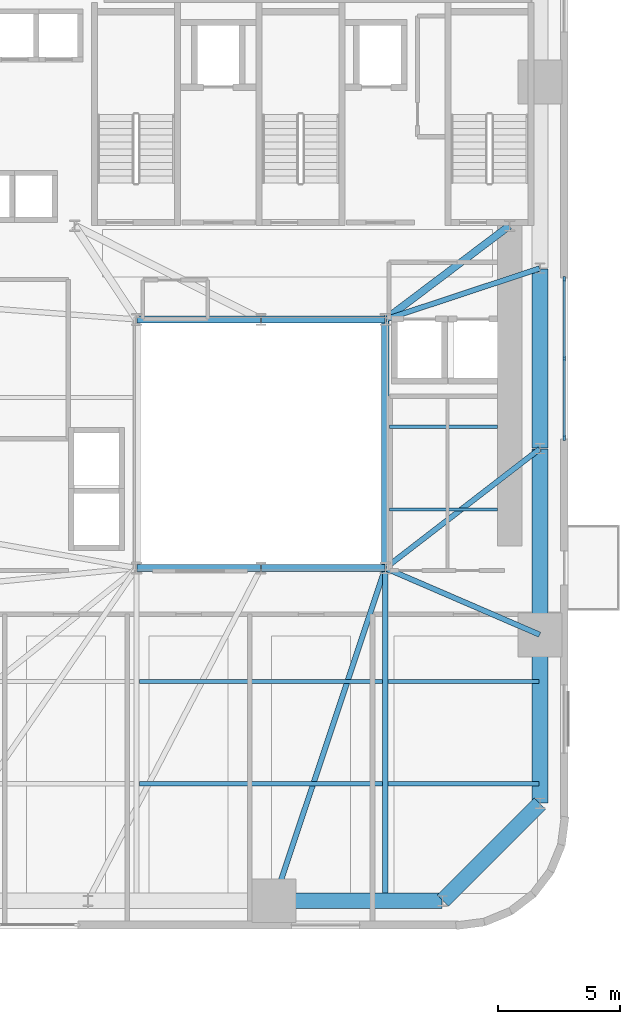
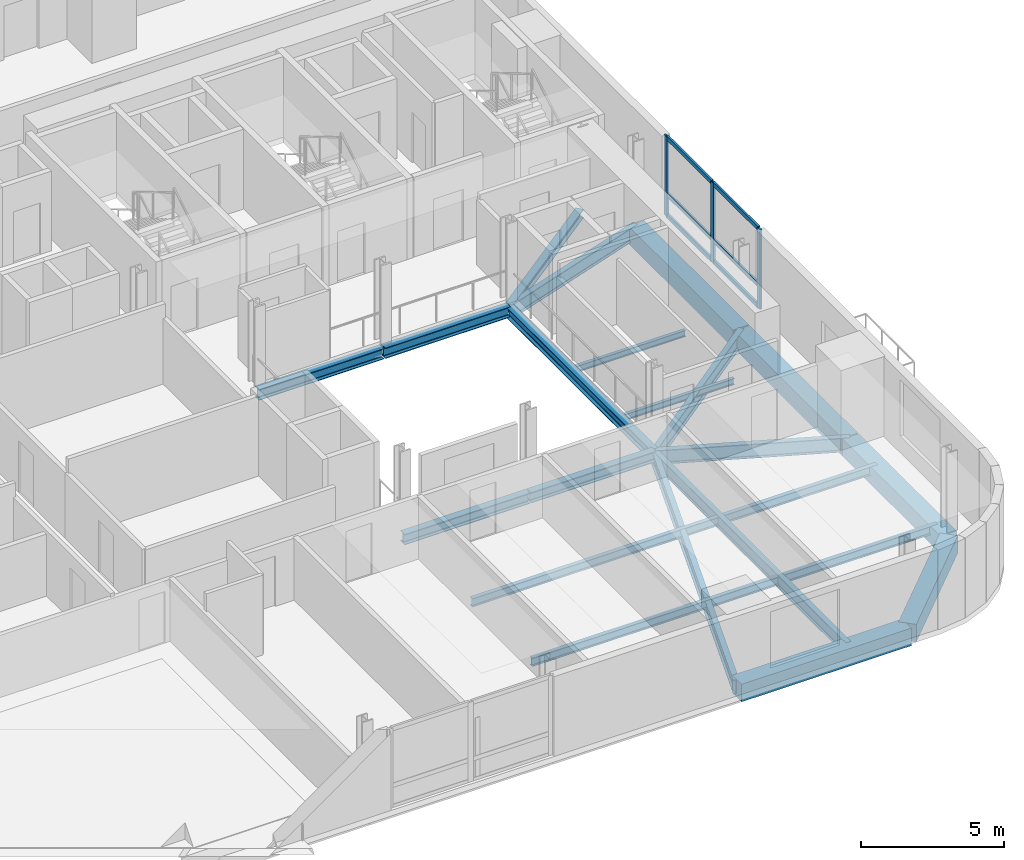
# One storey, part 3 of 11: 22 beams, 9 members, 1 element without a shape of its own.
"""IFC4 building model written with IfcOpenShell, lengths in metres."""

from ifc_helpers import new_model, si_unit, direction, frame, origin, origin_2d, place, context, subcontext, project, spatial, rectangle, i_section, extrude, source, transform, mapped, material, material_profile, profile_set, type_object, element, aggregate, save


model = new_model("IFC4")

# Units and contexts
model_context = context("Model", 3, precision=1e-05, world=origin(), true_north=direction((0.0, 1.0)))
body_context = subcontext(model_context, "Body", "Model", "MODEL_VIEW")
ifc_project = project(units=[si_unit("LENGTHUNIT", "METRE"), si_unit("AREAUNIT", "SQUARE_METRE"), si_unit("VOLUMEUNIT", "CUBIC_METRE"), si_unit("PLANEANGLEUNIT", "RADIAN"), si_unit("MASSUNIT", "GRAM", prefix="KILO")], contexts=[model_context])

# Site, building, storey
site_placement = place(None, origin())
site = spatial("IfcSite", under=ifc_project, at=site_placement, CompositionType="ELEMENT")
building_placement = place(site_placement, origin())
building = spatial("IfcBuilding", under=site, at=building_placement, Name="Vardaveli Station Tower", CompositionType="ELEMENT")
storey_placement = place(building_placement, frame((0.0, 0.0, 42.199951171875)))
storey = spatial("IfcBuildingStorey", under=building, at=storey_placement, Name="L10", CompositionType="ELEMENT", Elevation=42.199951171875)

# Beams
ifc_material_1 = material(Name="Structural steel S355J2", Category="steel")
ifc_material_profile_1 = material_profile(ifc_material_1, i_section(OverallWidth=0.300048828125, OverallDepth=0.449951171875, WebThickness=0.013916015625, FlangeThickness=0.02587890625, FilletRadius=0.027099609375, at=origin_2d()), Name="HEB 450")
ifc_profile_set_1 = profile_set([ifc_material_profile_1], Name="Structural steel S355J2")
beam_type_1 = type_object("IfcBeamType", Name="BM-HEB450", PredefinedType="BEAM", material=ifc_profile_set_1)
shared_shape_1 = source(origin(), body_context, "Body", "SweptSolid", [
    extrude(i_section(OverallWidth=0.300048828125, OverallDepth=0.449951171875, WebThickness=0.013916015625, FlangeThickness=0.02587890625, FilletRadius=0.027099609375, at=origin_2d()), origin(), (0.0, 0.0, 1.0), 5.06005859375),
])
for number, where, z_axis, x_axis, name in (
    (1, (31.219970703125, 16.60009765625, -0.46484375), (1.0, 0.0, 0.0), (0.0, 1.0, 0.0), "ABM-L10-01"),
    (2, (36.280029296875, 26.800048828125, -0.46484375), (-1.0, 0.0, 0.0), (0.0, -1.0, 0.0), "ABM-L10-05"),
):
    element("IfcBeam", number, at=place(storey_placement, frame(where, z_axis=z_axis, x_axis=x_axis)), inside=storey, type_object=beam_type_1, Name=name, PredefinedType="BEAM", context=body_context, shape_type="MappedRepresentation", body=[
        mapped(shared_shape_1, transform((0.0, 0.0, 0.0), scale=1.0)),
    ])
shared_shape_2 = source(origin(), body_context, "Body", "SweptSolid", [
    extrude(i_section(OverallWidth=0.300048828125, OverallDepth=0.449951171875, WebThickness=0.013916015625, FlangeThickness=0.02587890625, FilletRadius=0.027099609375, at=origin_2d()), origin(), (0.0, 0.0, 1.0), 5.059814453125),
])
for number, where, z_axis, x_axis, name in (
    (3, (36.320068359375, 16.60009765625, -0.46484375), (1.0, 0.0, 0.0), (0.0, 1.0, 0.0), "ABM-L10-02"),
    (4, (41.3798828125, 26.800048828125, -0.46484375), (-1.0, 0.0, 0.0), (0.0, -1.0, 0.0), "ABM-L10-04"),
):
    element("IfcBeam", number, at=place(storey_placement, frame(where, z_axis=z_axis, x_axis=x_axis)), inside=storey, type_object=beam_type_1, Name=name, PredefinedType="BEAM", context=body_context, shape_type="MappedRepresentation", body=[
        mapped(shared_shape_2, transform((0.0, 0.0, 0.0), scale=1.0)),
    ])
shared_shape_3 = source(origin(), body_context, "Body", "SweptSolid", [
    extrude(i_section(OverallWidth=0.300048828125, OverallDepth=0.449951171875, WebThickness=0.013916015625, FlangeThickness=0.02587890625, FilletRadius=0.027099609375, at=origin_2d()), origin(), (0.0, 0.0, 1.0), 10.159912109375),
])
beam_1_placement = place(storey_placement, frame((41.39990234375, 16.6201171875, -0.46484375), z_axis=(0.0, 1.0, 0.0), x_axis=(-1.0, 0.0, 0.0)))
element("IfcBeam", 5, at=beam_1_placement, inside=storey, type_object=beam_type_1, Name="ABM-L10-03", PredefinedType="BEAM", context=body_context, shape_type="MappedRepresentation", body=[
    mapped(shared_shape_3, transform((0.0, 0.0, 0.0), scale=1.0)),
])
ifc_material_profile_2 = material_profile(ifc_material_1, i_section(OverallWidth=0.300048828125, OverallDepth=0.360107421875, WebThickness=0.012451171875, FlangeThickness=0.0224609375, FilletRadius=0.027099609375, at=origin_2d()), Name="HEB 360")
ifc_profile_set_2 = profile_set([ifc_material_profile_2], Name="Structural steel S355J2")
beam_type_2 = type_object("IfcBeamType", Name="BM-HEB360", PredefinedType="BEAM", material=ifc_profile_set_2)
shared_shape_4 = source(origin(), body_context, "Body", "SweptSolid", [
    extrude(i_section(OverallWidth=0.300048828125, OverallDepth=0.360107421875, WebThickness=0.012451171875, FlangeThickness=0.0224609375, FilletRadius=0.027099609375, at=origin_2d()), origin(), (0.0, 0.0, 1.0), 6.35009765625),
])
beam_2_placement = place(storey_placement, frame((41.416015625, 26.81201171875, -0.419921875), z_axis=(0.798118337722, 0.602500721154, 0.0), x_axis=(-0.602500721154, 0.798118337722, 0.0)))
element("IfcBeam", 6, at=beam_2_placement, inside=storey, type_object=beam_type_2, Name="CBM-L10-02", PredefinedType="BEAM", context=body_context, shape_type="MappedRepresentation", body=[
    mapped(shared_shape_4, transform((0.0, 0.0, 0.0), scale=1.0)),
])
ifc_material_2 = material(Name="Precast concrete C45/55", Category="concrete")
ifc_material_profile_3 = material_profile(ifc_material_2, rectangle(XDim=0.64990234375, YDim=0.75, at=origin_2d()), Name="LPB 650x750")
ifc_profile_set_3 = profile_set([ifc_material_profile_3], Name="Precast concrete C45/55")
beam_type_3 = type_object("IfcBeamType", Name="BM-LPB-750", PredefinedType="BEAM", material=ifc_profile_set_3)
shared_shape_5 = source(origin(), body_context, "Body", "SweptSolid", [
    extrude(rectangle(XDim=0.64990234375, YDim=0.75, at=origin_2d()), origin(), (0.0, 0.0, 1.0), 7.60009765625),
])
beam_3_placement = place(storey_placement, frame((47.75, 13.8798828125, -0.614990234375), z_axis=(0.0, 1.0, 0.0), x_axis=(-1.0, 0.0, 0.0)))
element("IfcBeam", 7, at=beam_3_placement, inside=storey, type_object=beam_type_3, Name="RBM-L10-07", PredefinedType="BEAM", context=body_context, shape_type="MappedRepresentation", body=[
    mapped(shared_shape_5, transform((0.0, 0.0, 0.0), scale=1.0)),
])
shared_shape_6 = source(origin(), body_context, "Body", "SweptSolid", [
    extrude(rectangle(XDim=0.64990234375, YDim=0.75, at=origin_2d()), origin(), (0.0, 0.0, 1.0), 7.35986328125),
])
beam_4_placement = place(storey_placement, frame((47.75, 21.52001953125, -0.614990234375), z_axis=(0.0, 1.0, 0.0), x_axis=(-1.0, 0.0, 0.0)))
element("IfcBeam", 8, at=beam_4_placement, inside=storey, type_object=beam_type_3, Name="RBM-L10-08", PredefinedType="BEAM", context=body_context, shape_type="MappedRepresentation", body=[
    mapped(shared_shape_6, transform((0.0, 0.0, 0.0), scale=1.0)),
])
shared_shape_7 = source(origin(), body_context, "Body", "SweptSolid", [
    extrude(rectangle(XDim=0.64990234375, YDim=0.75, at=origin_2d()), origin(), (0.0, 0.0, 1.0), 6.869873046875),
])
beam_5_placement = place(storey_placement, frame((36.860107421875, 2.949951171875, -0.614990234375), z_axis=(1.0, 0.0, 0.0), x_axis=(0.0, 1.0, 0.0)))
element("IfcBeam", 9, at=beam_5_placement, inside=storey, type_object=beam_type_3, Name="RBM-L10-04", PredefinedType="BEAM", context=body_context, shape_type="MappedRepresentation", body=[
    mapped(shared_shape_7, transform((0.0, 0.0, 0.0), scale=1.0)),
])
shared_shape_8 = source(origin(), body_context, "Body", "SweptSolid", [
    extrude(rectangle(XDim=0.64990234375, YDim=0.75, at=origin_2d()), origin(), (0.0, 0.0, 1.0), 5.61669921875),
])
beam_6_placement = place(storey_placement, frame((43.76416015625, 2.964111328125, -0.614990234375), z_axis=(0.707106781187, 0.707106781187, 0.0), x_axis=(-0.707106781187, 0.707106781187, 0.0)))
element("IfcBeam", 10, at=beam_6_placement, inside=storey, type_object=beam_type_3, Name="RBM-L10-05", PredefinedType="BEAM", context=body_context, shape_type="MappedRepresentation", body=[
    mapped(shared_shape_8, transform((0.0, 0.0, 0.0), scale=1.0)),
])
shared_shape_9 = source(origin(), body_context, "Body", "SweptSolid", [
    extrude(rectangle(XDim=0.64990234375, YDim=0.75, at=origin_2d()), origin(), (0.0, 0.0, 1.0), 6.8701171875),
])
beam_7_placement = place(storey_placement, frame((47.75, 6.969970703125, -0.614990234375), z_axis=(0.0, 1.0, 0.0), x_axis=(-1.0, 0.0, 0.0)))
element("IfcBeam", 11, at=beam_7_placement, inside=storey, type_object=beam_type_3, Name="RBM-L10-06", PredefinedType="BEAM", context=body_context, shape_type="MappedRepresentation", body=[
    mapped(shared_shape_9, transform((0.0, 0.0, 0.0), scale=1.0)),
])
ifc_material_profile_4 = material_profile(ifc_material_1, i_section(OverallWidth=0.219970703125, OverallDepth=0.60009765625, WebThickness=0.011962890625, FlangeThickness=0.01904296875, FilletRadius=0.02392578125, at=origin_2d()), Name="IPE 600")
ifc_profile_set_4 = profile_set([ifc_material_profile_4], Name="Structural steel S355J2")
beam_type_4 = type_object("IfcBeamType", Name="BM-IPE600", PredefinedType="BEAM", material=ifc_profile_set_4)
shared_shape_10 = source(origin(), body_context, "Body", "SweptSolid", [
    extrude(i_section(OverallWidth=0.219970703125, OverallDepth=0.60009765625, WebThickness=0.011962890625, FlangeThickness=0.01904296875, FilletRadius=0.02392578125, at=origin_2d()), origin(), (0.0, 0.0, 1.0), 14.3515625),
])
beam_8_placement = place(storey_placement, frame((36.846435546875, 2.968994140625, -0.5400390625), z_axis=(0.316840115921, 0.948478961782, 0.0), x_axis=(-0.948478961782, 0.316840115921, 0.0)))
element("IfcBeam", 12, at=beam_8_placement, inside=storey, type_object=beam_type_4, Name="GBM-L10-04", PredefinedType="BEAM", context=body_context, shape_type="MappedRepresentation", body=[
    mapped(shared_shape_10, transform((0.0, 0.0, 0.0), scale=1.0)),
])
shared_shape_11 = source(origin(), body_context, "Body", "SweptSolid", [
    extrude(i_section(OverallWidth=0.219970703125, OverallDepth=0.60009765625, WebThickness=0.011962890625, FlangeThickness=0.01904296875, FilletRadius=0.02392578125, at=origin_2d()), origin(), (0.0, 0.0, 1.0), 6.8759765625),
])
beam_9_placement = place(storey_placement, frame((47.731689453125, 13.867919921875, -0.5400390625), z_axis=(-0.918170694621, 0.396185026899, 0.0), x_axis=(-0.396185026899, -0.918170694621, 0.0)))
element("IfcBeam", 13, at=beam_9_placement, inside=storey, type_object=beam_type_4, Name="GBM-L10-05", PredefinedType="BEAM", context=body_context, shape_type="MappedRepresentation", body=[
    mapped(shared_shape_11, transform((0.0, 0.0, 0.0), scale=1.0)),
])
shared_shape_12 = source(origin(), body_context, "Body", "SweptSolid", [
    extrude(i_section(OverallWidth=0.219970703125, OverallDepth=0.60009765625, WebThickness=0.011962890625, FlangeThickness=0.01904296875, FilletRadius=0.02392578125, at=origin_2d()), origin(), (0.0, 0.0, 1.0), 7.980712890625),
])
beam_10_placement = place(storey_placement, frame((47.734130859375, 21.48779296875, -0.5400390625), z_axis=(-0.791701934907, -0.610907559509, 0.0), x_axis=(0.610907559509, -0.791701934907, 0.0)))
element("IfcBeam", 14, at=beam_10_placement, inside=storey, type_object=beam_type_4, Name="GBM-L10-06", PredefinedType="BEAM", context=body_context, shape_type="MappedRepresentation", body=[
    mapped(shared_shape_12, transform((0.0, 0.0, 0.0), scale=1.0)),
])
shared_shape_13 = source(origin(), body_context, "Body", "SweptSolid", [
    extrude(i_section(OverallWidth=0.219970703125, OverallDepth=0.60009765625, WebThickness=0.011962890625, FlangeThickness=0.01904296875, FilletRadius=0.02392578125, at=origin_2d()), origin(), (0.0, 0.0, 1.0), 6.648193359375),
])
beam_11_placement = place(storey_placement, frame((47.73095703125, 28.893798828125, -0.5400390625), z_axis=(-0.949429779906, -0.313979446824, 0.0), x_axis=(0.313979446824, -0.949429779906, 0.0)))
element("IfcBeam", 15, at=beam_11_placement, inside=storey, type_object=beam_type_4, Name="GBM-L10-07", PredefinedType="BEAM", context=body_context, shape_type="MappedRepresentation", body=[
    mapped(shared_shape_13, transform((0.0, 0.0, 0.0), scale=1.0)),
])
ifc_material_profile_5 = material_profile(ifc_material_1, i_section(OverallWidth=0.2099609375, OverallDepth=0.550048828125, WebThickness=0.010986328125, FlangeThickness=0.01708984375, FilletRadius=0.02392578125, at=origin_2d()), Name="IPE 550")
ifc_profile_set_5 = profile_set([ifc_material_profile_5], Name="Structural steel S355J2")
beam_type_5 = type_object("IfcBeamType", Name="BM-IPE550", PredefinedType="BEAM", material=ifc_profile_set_5)
shared_shape_14 = source(origin(), body_context, "Body", "SweptSolid", [
    extrude(i_section(OverallWidth=0.2099609375, OverallDepth=0.550048828125, WebThickness=0.010986328125, FlangeThickness=0.01708984375, FilletRadius=0.02392578125, at=origin_2d()), origin(), (0.0, 0.0, 1.0), 13.469970703125),
])
beam_12_placement = place(storey_placement, frame((41.39990234375, 2.989990234375, -0.514892578125), z_axis=(0.0, 1.0, 0.0), x_axis=(-1.0, 0.0, 0.0)))
element("IfcBeam", 16, at=beam_12_placement, inside=storey, type_object=beam_type_5, Name="NSM-L10-S2", PredefinedType="BEAM", context=body_context, shape_type="MappedRepresentation", body=[
    mapped(shared_shape_14, transform((0.0, 0.0, 0.0), scale=1.0)),
])
ifc_material_profile_6 = material_profile(ifc_material_1, i_section(OverallWidth=0.169921875, OverallDepth=0.360107421875, WebThickness=0.008056640625, FlangeThickness=0.0126953125, FilletRadius=0.01806640625, at=origin_2d()), Name="IPE 360")
ifc_profile_set_6 = profile_set([ifc_material_profile_6], Name="Structural steel S355J2")
beam_type_6 = type_object("IfcBeamType", Name="BM-IPE360", PredefinedType="JOIST", material=ifc_profile_set_6)
shared_shape_15 = source(origin(), body_context, "Body", "SweptSolid", [
    extrude(i_section(OverallWidth=0.169921875, OverallDepth=0.360107421875, WebThickness=0.008056640625, FlangeThickness=0.0126953125, FilletRadius=0.01806640625, at=origin_2d()), origin(), (0.0, 0.0, 1.0), 9.97607421875),
])
for number, where, z_axis, x_axis, name in (
    (17, (31.31201171875, 7.75, -0.419921875), (1.0, 0.0, 0.0), (0.0, 1.0, 0.0), "SJ-L10-S02"),
    (18, (31.31201171875, 11.949951171875, -0.419921875), (1.0, 0.0, 0.0), (0.0, 1.0, 0.0), "SJ-L10-S05"),
):
    element("IfcBeam", number, at=place(storey_placement, frame(where, z_axis=z_axis, x_axis=x_axis)), inside=storey, type_object=beam_type_6, Name=name, PredefinedType="JOIST", context=body_context, shape_type="MappedRepresentation", body=[
        mapped(shared_shape_15, transform((0.0, 0.0, 0.0), scale=1.0)),
    ])
shared_shape_16 = source(origin(), body_context, "Body", "SweptSolid", [
    extrude(i_section(OverallWidth=0.169921875, OverallDepth=0.360107421875, WebThickness=0.008056640625, FlangeThickness=0.0126953125, FilletRadius=0.01806640625, at=origin_2d()), origin(), (0.0, 0.0, 1.0), 6.197998046875),
])
for number, where, z_axis, x_axis, name in (
    (19, (41.511962890625, 7.75, -0.419921875), (1.0, 0.0, 0.0), (0.0, 1.0, 0.0), "SJ-L10-S03"),
    (20, (41.511962890625, 11.949951171875, -0.419921875), (1.0, 0.0, 0.0), (0.0, 1.0, 0.0), "SJ-L10-S06"),
):
    element("IfcBeam", number, at=place(storey_placement, frame(where, z_axis=z_axis, x_axis=x_axis)), inside=storey, type_object=beam_type_6, Name=name, PredefinedType="JOIST", context=body_context, shape_type="MappedRepresentation", body=[
        mapped(shared_shape_16, transform((0.0, 0.0, 0.0), scale=1.0)),
    ])
ifc_material_profile_7 = material_profile(ifc_material_1, i_section(OverallWidth=0.135009765625, OverallDepth=0.27001953125, WebThickness=0.006591796875, FlangeThickness=0.01025390625, FilletRadius=0.014892578125, at=origin_2d()), Name="IPE 270")
ifc_profile_set_7 = profile_set([ifc_material_profile_7], Name="Structural steel S355J2")
beam_type_7 = type_object("IfcBeamType", Name="BM-IPE270", PredefinedType="BEAM", material=ifc_profile_set_7)
shared_shape_17 = source(origin(), body_context, "Body", "SweptSolid", [
    extrude(i_section(OverallWidth=0.135009765625, OverallDepth=0.27001953125, WebThickness=0.006591796875, FlangeThickness=0.01025390625, FilletRadius=0.014892578125, at=origin_2d()), origin(), (0.0, 0.0, 1.0), 4.43017578125),
])
for number, where, z_axis, x_axis, name in (
    (21, (41.56494140625, 19.0, -0.375), (1.0, 0.0, 0.0), (0.0, 1.0, 0.0), "TJ-L10-01"),
    (22, (41.56494140625, 22.39990234375, -0.375), (1.0, 0.0, 0.0), (0.0, 1.0, 0.0), "TJ-L10-02"),
):
    element("IfcBeam", number, at=place(storey_placement, frame(where, z_axis=z_axis, x_axis=x_axis)), inside=storey, type_object=beam_type_7, Name=name, PredefinedType="BEAM", context=body_context, shape_type="MappedRepresentation", body=[
        mapped(shared_shape_17, transform((0.0, 0.0, 0.0), scale=1.0)),
    ])

# Curtain wall, members
ifc_material_3 = material(Name="Travertine stone and solar-control glass", Category="masonry")
curtain_wall_type = type_object("IfcCurtainWallType", Name="CW-SYS-2", PredefinedType="NOTDEFINED", material=ifc_material_3)
curtain_wall_placement = place(storey_placement, origin())
curtain_wall = element("IfcCurtainWall", 23, at=curtain_wall_placement, inside=storey, type_object=curtain_wall_type, Name="CW-L10-E", PredefinedType="NOTDEFINED")
ifc_material_4 = material(Name="Anodised aluminium alloy 6063-T6", Category="aluminium")
ifc_material_profile_8 = material_profile(ifc_material_4, rectangle(XDim=0.0849609375, YDim=0.179931640625, at=origin_2d()), Name="CWT 85x180")
ifc_profile_set_8 = profile_set([ifc_material_profile_8], Name="Anodised aluminium alloy 6063-T6")
member_type_1 = type_object("IfcMemberType", Name="CW-SYS-2-TRAN", PredefinedType="NOTDEFINED", material=ifc_profile_set_8)
shared_shape_18 = source(origin(), body_context, "Body", "SweptSolid", [
    extrude(rectangle(XDim=0.0849609375, YDim=0.179931640625, at=origin_2d()), origin(), (0.0, 0.0, 1.0), 3.172607421875),
])
member_1_placement = place(storey_placement, frame((48.739990234375, 25.242431640625, 0.04248046875), z_axis=(0.0, 1.0, 0.0), x_axis=(-1.0, 0.0, 0.0)))
member_1 = element("IfcMember", 24, at=member_1_placement, type_object=member_type_1, Name="CW-2 transom 2.1", ObjectType="TRANSOM", PredefinedType="USERDEFINED", context=body_context, shape_type="MappedRepresentation", body=[
    mapped(shared_shape_18, transform((0.0, 0.0, 0.0), scale=1.0)),
])
member_2_placement = place(storey_placement, frame((48.739990234375, 25.242431640625, 0.949951171875), z_axis=(0.0, 1.0, 0.0), x_axis=(-1.0, 0.0, 0.0)))
member_2 = element("IfcMember", 25, at=member_2_placement, type_object=member_type_1, Name="CW-2 transom 2.2", ObjectType="TRANSOM", PredefinedType="USERDEFINED", context=body_context, shape_type="MappedRepresentation", body=[
    mapped(shared_shape_18, transform((0.0, 0.0, 0.0), scale=1.0)),
])
member_3_placement = place(storey_placement, frame((48.739990234375, 25.242431640625, 3.367431640625), z_axis=(0.0, 1.0, 0.0), x_axis=(-1.0, 0.0, 0.0)))
member_3 = element("IfcMember", 26, at=member_3_placement, type_object=member_type_1, Name="CW-2 transom 2.3", ObjectType="TRANSOM", PredefinedType="USERDEFINED", context=body_context, shape_type="MappedRepresentation", body=[
    mapped(shared_shape_18, transform((0.0, 0.0, 0.0), scale=1.0)),
])
shared_shape_19 = source(origin(), body_context, "Body", "SweptSolid", [
    extrude(rectangle(XDim=0.0849609375, YDim=0.179931640625, at=origin_2d()), origin(), (0.0, 0.0, 1.0), 3.17236328125),
])
member_4_placement = place(storey_placement, frame((48.739990234375, 21.985107421875, 0.04248046875), z_axis=(0.0, 1.0, 0.0), x_axis=(-1.0, 0.0, 0.0)))
member_4 = element("IfcMember", 27, at=member_4_placement, type_object=member_type_1, Name="CW-2 transom 1.1", ObjectType="TRANSOM", PredefinedType="USERDEFINED", context=body_context, shape_type="MappedRepresentation", body=[
    mapped(shared_shape_19, transform((0.0, 0.0, 0.0), scale=1.0)),
])
member_5_placement = place(storey_placement, frame((48.739990234375, 21.985107421875, 0.949951171875), z_axis=(0.0, 1.0, 0.0), x_axis=(-1.0, 0.0, 0.0)))
member_5 = element("IfcMember", 28, at=member_5_placement, type_object=member_type_1, Name="CW-2 transom 1.2", ObjectType="TRANSOM", PredefinedType="USERDEFINED", context=body_context, shape_type="MappedRepresentation", body=[
    mapped(shared_shape_19, transform((0.0, 0.0, 0.0), scale=1.0)),
])
member_6_placement = place(storey_placement, frame((48.739990234375, 21.985107421875, 3.367431640625), z_axis=(0.0, 1.0, 0.0), x_axis=(-1.0, 0.0, 0.0)))
member_6 = element("IfcMember", 29, at=member_6_placement, type_object=member_type_1, Name="CW-2 transom 1.3", ObjectType="TRANSOM", PredefinedType="USERDEFINED", context=body_context, shape_type="MappedRepresentation", body=[
    mapped(shared_shape_19, transform((0.0, 0.0, 0.0), scale=1.0)),
])
ifc_material_profile_9 = material_profile(ifc_material_4, rectangle(XDim=0.0849609375, YDim=0.219970703125, at=origin_2d()), Name="CWM 85x220")
ifc_profile_set_9 = profile_set([ifc_material_profile_9], Name="Anodised aluminium alloy 6063-T6")
member_type_2 = type_object("IfcMemberType", Name="CW-SYS-2-MULL", PredefinedType="MULLION", material=ifc_profile_set_9)
shared_shape_20 = source(origin(), body_context, "Body", "SweptSolid", [
    extrude(rectangle(XDim=0.0849609375, YDim=0.219970703125, at=origin_2d()), origin(), (0.0, 0.0, 1.0), 3.41015625),
])
member_7_placement = place(storey_placement, frame((48.739990234375, 21.9423828125, 0.0), z_axis=(0.0, 0.0, 1.0), x_axis=(-1.0, 0.0, 0.0)))
member_7 = element("IfcMember", 30, at=member_7_placement, type_object=member_type_2, Name="CW-2 mullion 1", PredefinedType="MULLION", context=body_context, shape_type="MappedRepresentation", body=[
    mapped(shared_shape_20, transform((0.0, 0.0, 0.0), scale=1.0)),
])
member_8_placement = place(storey_placement, frame((48.739990234375, 25.199951171875, 0.0), z_axis=(0.0, 0.0, 1.0), x_axis=(-1.0, 0.0, 0.0)))
member_8 = element("IfcMember", 31, at=member_8_placement, type_object=member_type_2, Name="CW-2 mullion 2", PredefinedType="MULLION", context=body_context, shape_type="MappedRepresentation", body=[
    mapped(shared_shape_20, transform((0.0, 0.0, 0.0), scale=1.0)),
])
member_9_placement = place(storey_placement, frame((48.739990234375, 28.45751953125, 0.0), z_axis=(0.0, 0.0, 1.0), x_axis=(-1.0, 0.0, 0.0)))
member_9 = element("IfcMember", 32, at=member_9_placement, type_object=member_type_2, Name="CW-2 mullion 3", PredefinedType="MULLION", context=body_context, shape_type="MappedRepresentation", body=[
    mapped(shared_shape_20, transform((0.0, 0.0, 0.0), scale=1.0)),
])
aggregate(curtain_wall, [member_7, member_8, member_9, member_4, member_5, member_6, member_1, member_2, member_3])

save(model, "model.ifc")
